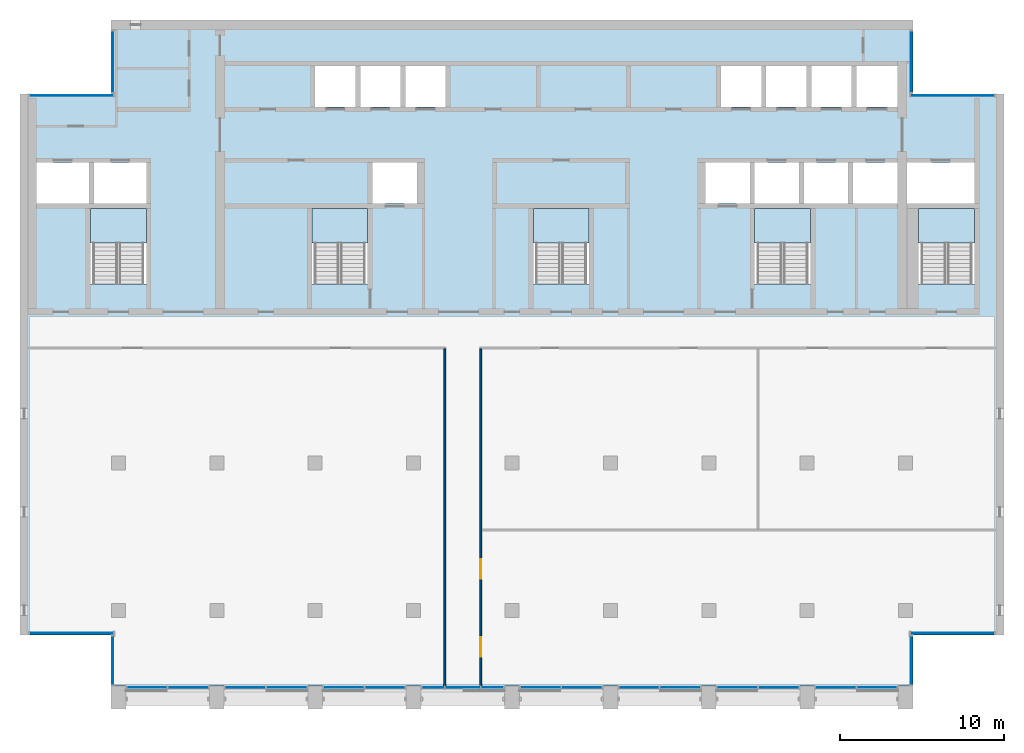
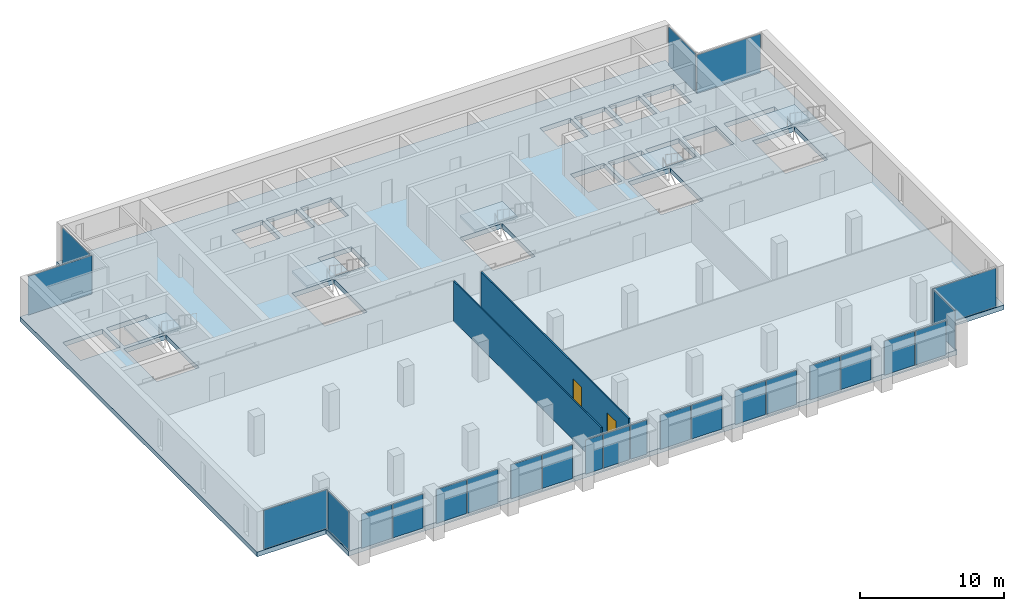
# One storey, part 6 of 14: 25 plates, 6 slabs, 2 doors, 2 walls, 2 openings, 21 elements without a shape of their own.
"""IFC4 building model written with IfcOpenShell, lengths in metres."""

from ifc_helpers import new_model, si_unit, direction, frame, frame_2d, origin, origin_2d, place, context, subcontext, project, spatial, polyline, rectangle, outline, extrude, material, layer, layer_set, type_object, element, fill, aggregate, save


model = new_model("IFC4")

# Units and contexts
model_context = context("Model", 3, precision=1e-05, world=origin(), true_north=direction((0.0, 1.0)))
body_context = subcontext(model_context, "Body", "Model", "MODEL_VIEW")
ifc_project = project(units=[si_unit("LENGTHUNIT", "METRE"), si_unit("AREAUNIT", "SQUARE_METRE"), si_unit("VOLUMEUNIT", "CUBIC_METRE"), si_unit("PLANEANGLEUNIT", "RADIAN"), si_unit("MASSUNIT", "GRAM", prefix="KILO")], contexts=[model_context])

# Site, building, storey
site_placement = place(None, origin())
site = spatial("IfcSite", under=ifc_project, at=site_placement, CompositionType="ELEMENT")
building_placement = place(site_placement, origin())
building = spatial("IfcBuilding", under=site, at=building_placement, Name="Calvaro Tower", CompositionType="ELEMENT")
storey_placement = place(building_placement, frame((0.0, 0.0, 246.949951171875)))
storey = spatial("IfcBuildingStorey", under=building, at=storey_placement, Name="L62", CompositionType="ELEMENT", Elevation=246.949951171875)

# Slab
ifc_material_1 = material(Name="Concrete C40/50", Category="concrete")
ifc_layer_1 = layer(ifc_material_1, 0.39990234375)
ifc_layer_set_1 = layer_set([ifc_layer_1], Name="Concrete C40/50")
slab_type_1 = type_object("IfcSlabType", Name="Floor slab 400 C40/50", PredefinedType="FLOOR", material=ifc_layer_set_1)
slab_1_placement = place(storey_placement, frame((0.0, 0.0, -0.39990234375)))
element("IfcSlab", 1, at=slab_1_placement, inside=storey, type_object=slab_type_1, Name="Floor slab", PredefinedType="FLOOR", context=body_context, shape_type="SweptSolid", body=[
    extrude(outline(polyline([(60.449951171875, 8.5), (60.449951171875, 5.39990234375), (11.550048828125, 5.39990234375), (11.550048828125, 8.5), (6.0, 8.5), (6.0, 41.5), (11.550048828125, 41.5), (11.550048828125, 46.0), (60.449951171875, 46.0), (60.449951171875, 41.5), (66.0, 41.5), (66.0, 8.5), (60.449951171875, 8.5)]), holes=[polyline([(10.300048828125, 29.909912109375), (10.300048828125, 34.5), (12.0, 34.5), (13.699951171875, 34.5), (13.699951171875, 29.909912109375), (12.0, 29.909912109375), (10.300048828125, 29.909912109375)]), polyline([(23.800048828125, 29.909912109375), (23.800048828125, 34.5), (25.5, 34.5), (27.199951171875, 34.5), (27.199951171875, 29.909912109375), (25.5, 29.909912109375), (23.800048828125, 29.909912109375)]), polyline([(37.300048828125, 29.909912109375), (37.300048828125, 34.5), (39.0, 34.5), (40.699951171875, 34.5), (40.699951171875, 29.909912109375), (39.0, 29.909912109375), (37.300048828125, 29.909912109375)]), polyline([(50.800048828125, 29.909912109375), (50.800048828125, 34.5), (52.5, 34.5), (54.199951171875, 34.5), (54.199951171875, 29.909912109375), (52.5, 29.909912109375), (50.800048828125, 29.909912109375)]), polyline([(60.800048828125, 29.909912109375), (60.800048828125, 34.5), (62.5, 34.5), (64.199951171875, 34.5), (64.199951171875, 29.909912109375), (62.5, 29.909912109375), (60.800048828125, 29.909912109375)]), polyline([(50.800048828125, 34.800048828125), (53.5, 34.800048828125), (53.5, 37.300048828125), (50.800048828125, 37.300048828125), (50.800048828125, 34.800048828125)]), polyline([(53.800048828125, 34.800048828125), (56.5, 34.800048828125), (56.5, 37.300048828125), (53.800048828125, 37.300048828125), (53.800048828125, 34.800048828125)]), polyline([(56.800048828125, 34.800048828125), (59.5, 34.800048828125), (59.5, 37.300048828125), (56.800048828125, 37.300048828125), (56.800048828125, 34.800048828125)]), polyline([(24.0, 40.699951171875), (26.449951171875, 40.699951171875), (26.449951171875, 43.199951171875), (24.0, 43.199951171875), (24.0, 40.699951171875)]), polyline([(26.75, 40.699951171875), (29.199951171875, 40.699951171875), (29.199951171875, 43.199951171875), (26.75, 43.199951171875), (26.75, 40.699951171875)]), polyline([(29.5, 40.699951171875), (31.949951171875, 40.699951171875), (31.949951171875, 43.199951171875), (29.5, 43.199951171875), (29.5, 40.699951171875)]), polyline([(48.75, 40.699951171875), (51.199951171875, 40.699951171875), (51.199951171875, 43.199951171875), (48.75, 43.199951171875), (48.75, 40.699951171875)]), polyline([(51.5, 40.699951171875), (53.949951171875, 40.699951171875), (53.949951171875, 43.199951171875), (51.5, 43.199951171875), (51.5, 40.699951171875)]), polyline([(54.25, 40.699951171875), (56.699951171875, 40.699951171875), (56.699951171875, 43.199951171875), (54.25, 43.199951171875), (54.25, 40.699951171875)]), polyline([(57.0, 40.699951171875), (59.5, 40.699951171875), (59.5, 43.199951171875), (57.0, 43.199951171875), (57.0, 40.699951171875)]), polyline([(7.0, 34.800048828125), (10.199951171875, 34.800048828125), (10.199951171875, 37.300048828125), (7.0, 37.300048828125), (7.0, 34.800048828125)]), polyline([(10.5, 34.800048828125), (13.699951171875, 34.800048828125), (13.699951171875, 37.300048828125), (10.5, 37.300048828125), (10.5, 34.800048828125)]), polyline([(60.10009765625, 34.800048828125), (64.199951171875, 34.800048828125), (64.199951171875, 37.300048828125), (60.10009765625, 37.300048828125), (60.10009765625, 34.800048828125)]), polyline([(27.5, 34.800048828125), (30.199951171875, 34.800048828125), (30.199951171875, 37.300048828125), (27.5, 37.300048828125), (27.5, 34.800048828125)]), polyline([(47.800048828125, 34.800048828125), (50.5, 34.800048828125), (50.5, 37.300048828125), (47.800048828125, 37.300048828125), (47.800048828125, 34.800048828125)])]), origin(), (0.0, 0.0, 1.0), 0.39990234375),
])

# Curtain wall, plates
ifc_material_2 = material(Name="Anodised aluminium", Category="aluminium")
curtain_wall_type = type_object("IfcCurtainWallType", Name="Executive curtain wall", PredefinedType="NOTDEFINED", material=ifc_material_2)
curtain_wall_1_placement = place(storey_placement, origin())
curtain_wall_1 = element("IfcCurtainWall", 2, at=curtain_wall_1_placement, inside=storey, type_object=curtain_wall_type, Name="CW4 south curtain wall", PredefinedType="NOTDEFINED")
ifc_material_3 = material(Name="Glass", Category="glass")
ifc_layer_2 = layer(ifc_material_3, 0.0400390625)
ifc_layer_set_2 = layer_set([ifc_layer_2], Name="Glass")
plate_type = type_object("IfcPlateType", Name="Glass panel S4 40", PredefinedType="CURTAIN_PANEL", material=ifc_layer_set_2)
plate_1_placement = place(storey_placement, frame((13.7451171875, 5.2900390625, 0.0), z_axis=(0.0, 0.0, 1.0), x_axis=(1.0, 0.0, 0.0)))
plate_1 = element("IfcPlate", 3, at=plate_1_placement, type_object=plate_type, Name="CW4 glass panel 1.1", PredefinedType="CURTAIN_PANEL", context=body_context, shape_type="SweptSolid", body=[
    extrude(rectangle(XDim=2.429931640625, YDim=0.0400390625, at=origin_2d()), origin(), (0.0, 0.0, 1.0), 2.8798828125),
])
plate_2_placement = place(storey_placement, frame((16.2548828125, 5.2900390625, 0.0), z_axis=(0.0, 0.0, 1.0), x_axis=(1.0, 0.0, 0.0)))
plate_2 = element("IfcPlate", 4, at=plate_2_placement, type_object=plate_type, Name="CW4 glass panel 2.1", PredefinedType="CURTAIN_PANEL", context=body_context, shape_type="SweptSolid", body=[
    extrude(rectangle(XDim=2.429931640625, YDim=0.0400390625, at=origin_2d()), origin(), (0.0, 0.0, 1.0), 2.8798828125),
])
aggregate(curtain_wall_1, [plate_1, plate_2])

curtain_wall_2_placement = place(storey_placement, origin())
curtain_wall_2 = element("IfcCurtainWall", 5, at=curtain_wall_2_placement, inside=storey, type_object=curtain_wall_type, Name="CW4 south curtain wall", PredefinedType="NOTDEFINED")
plate_3_placement = place(storey_placement, frame((19.7451171875, 5.2900390625, 0.0), z_axis=(0.0, 0.0, 1.0), x_axis=(1.0, 0.0, 0.0)))
plate_3 = element("IfcPlate", 6, at=plate_3_placement, type_object=plate_type, Name="CW4 glass panel 1.1", PredefinedType="CURTAIN_PANEL", context=body_context, shape_type="SweptSolid", body=[
    extrude(rectangle(XDim=2.429931640625, YDim=0.0400390625, at=origin_2d()), origin(), (0.0, 0.0, 1.0), 2.8798828125),
])
plate_4_placement = place(storey_placement, frame((22.2548828125, 5.2900390625, 0.0), z_axis=(0.0, 0.0, 1.0), x_axis=(1.0, 0.0, 0.0)))
plate_4 = element("IfcPlate", 7, at=plate_4_placement, type_object=plate_type, Name="CW4 glass panel 2.1", PredefinedType="CURTAIN_PANEL", context=body_context, shape_type="SweptSolid", body=[
    extrude(rectangle(XDim=2.429931640625, YDim=0.0400390625, at=origin_2d()), origin(), (0.0, 0.0, 1.0), 2.8798828125),
])
aggregate(curtain_wall_2, [plate_3, plate_4])

curtain_wall_3_placement = place(storey_placement, origin())
curtain_wall_3 = element("IfcCurtainWall", 8, at=curtain_wall_3_placement, inside=storey, type_object=curtain_wall_type, Name="CW4 south curtain wall", PredefinedType="NOTDEFINED")
plate_5_placement = place(storey_placement, frame((25.7451171875, 5.2900390625, 0.0), z_axis=(0.0, 0.0, 1.0), x_axis=(1.0, 0.0, 0.0)))
plate_5 = element("IfcPlate", 9, at=plate_5_placement, type_object=plate_type, Name="CW4 glass panel 1.1", PredefinedType="CURTAIN_PANEL", context=body_context, shape_type="SweptSolid", body=[
    extrude(rectangle(XDim=2.429931640625, YDim=0.0400390625, at=origin_2d()), origin(), (0.0, 0.0, 1.0), 2.8798828125),
])
plate_6_placement = place(storey_placement, frame((28.2548828125, 5.2900390625, 0.0), z_axis=(0.0, 0.0, 1.0), x_axis=(1.0, 0.0, 0.0)))
plate_6 = element("IfcPlate", 10, at=plate_6_placement, type_object=plate_type, Name="CW4 glass panel 2.1", PredefinedType="CURTAIN_PANEL", context=body_context, shape_type="SweptSolid", body=[
    extrude(rectangle(XDim=2.429931640625, YDim=0.0400390625, at=origin_2d()), origin(), (0.0, 0.0, 1.0), 2.8798828125),
])
aggregate(curtain_wall_3, [plate_5, plate_6])

curtain_wall_4_placement = place(storey_placement, origin())
curtain_wall_4 = element("IfcCurtainWall", 11, at=curtain_wall_4_placement, inside=storey, type_object=curtain_wall_type, Name="CW4 south curtain wall", PredefinedType="NOTDEFINED")
plate_7_placement = place(storey_placement, frame((31.195068359375, 5.2900390625, 0.0), z_axis=(0.0, 0.0, 1.0), x_axis=(1.0, 0.0, 0.0)))
plate_7 = element("IfcPlate", 12, at=plate_7_placement, type_object=plate_type, Name="CW4 glass panel 1.1", PredefinedType="CURTAIN_PANEL", context=body_context, shape_type="SweptSolid", body=[
    extrude(rectangle(XDim=1.330078125, YDim=0.0400390625, at=origin_2d()), origin(), (0.0, 0.0, 1.0), 2.8798828125),
])
plate_8_placement = place(storey_placement, frame((33.0, 5.2900390625, 0.0), z_axis=(0.0, 0.0, 1.0), x_axis=(1.0, 0.0, 0.0)))
plate_8 = element("IfcPlate", 13, at=plate_8_placement, type_object=plate_type, Name="CW4 glass panel 2.1", PredefinedType="CURTAIN_PANEL", context=body_context, shape_type="SweptSolid", body=[
    extrude(rectangle(XDim=2.1201171875, YDim=0.0400390625, at=origin_2d()), origin(), (0.0, 0.0, 1.0), 2.8798828125),
])
plate_9_placement = place(storey_placement, frame((34.804931640625, 5.2900390625, 0.0), z_axis=(0.0, 0.0, 1.0), x_axis=(1.0, 0.0, 0.0)))
plate_9 = element("IfcPlate", 14, at=plate_9_placement, type_object=plate_type, Name="CW4 glass panel 3.1", PredefinedType="CURTAIN_PANEL", context=body_context, shape_type="SweptSolid", body=[
    extrude(rectangle(XDim=1.330078125, YDim=0.0400390625, at=origin_2d()), origin(), (0.0, 0.0, 1.0), 2.8798828125),
])
aggregate(curtain_wall_4, [plate_7, plate_8, plate_9])

curtain_wall_5_placement = place(storey_placement, origin())
curtain_wall_5 = element("IfcCurtainWall", 15, at=curtain_wall_5_placement, inside=storey, type_object=curtain_wall_type, Name="CW4 south curtain wall", PredefinedType="NOTDEFINED")
plate_10_placement = place(storey_placement, frame((37.7451171875, 5.2900390625, 0.0), z_axis=(0.0, 0.0, 1.0), x_axis=(1.0, 0.0, 0.0)))
plate_10 = element("IfcPlate", 16, at=plate_10_placement, type_object=plate_type, Name="CW4 glass panel 1.1", PredefinedType="CURTAIN_PANEL", context=body_context, shape_type="SweptSolid", body=[
    extrude(rectangle(XDim=2.429931640625, YDim=0.0400390625, at=origin_2d()), origin(), (0.0, 0.0, 1.0), 2.8798828125),
])
plate_11_placement = place(storey_placement, frame((40.2548828125, 5.2900390625, 0.0), z_axis=(0.0, 0.0, 1.0), x_axis=(1.0, 0.0, 0.0)))
plate_11 = element("IfcPlate", 17, at=plate_11_placement, type_object=plate_type, Name="CW4 glass panel 2.1", PredefinedType="CURTAIN_PANEL", context=body_context, shape_type="SweptSolid", body=[
    extrude(rectangle(XDim=2.429931640625, YDim=0.0400390625, at=origin_2d()), origin(), (0.0, 0.0, 1.0), 2.8798828125),
])
aggregate(curtain_wall_5, [plate_10, plate_11])

curtain_wall_6_placement = place(storey_placement, origin())
curtain_wall_6 = element("IfcCurtainWall", 18, at=curtain_wall_6_placement, inside=storey, type_object=curtain_wall_type, Name="CW4 south curtain wall", PredefinedType="NOTDEFINED")
plate_12_placement = place(storey_placement, frame((43.7451171875, 5.2900390625, 0.0), z_axis=(0.0, 0.0, 1.0), x_axis=(1.0, 0.0, 0.0)))
plate_12 = element("IfcPlate", 19, at=plate_12_placement, type_object=plate_type, Name="CW4 glass panel 1.1", PredefinedType="CURTAIN_PANEL", context=body_context, shape_type="SweptSolid", body=[
    extrude(rectangle(XDim=2.429931640625, YDim=0.0400390625, at=origin_2d()), origin(), (0.0, 0.0, 1.0), 2.8798828125),
])
plate_13_placement = place(storey_placement, frame((46.2548828125, 5.2900390625, 0.0), z_axis=(0.0, 0.0, 1.0), x_axis=(1.0, 0.0, 0.0)))
plate_13 = element("IfcPlate", 20, at=plate_13_placement, type_object=plate_type, Name="CW4 glass panel 2.1", PredefinedType="CURTAIN_PANEL", context=body_context, shape_type="SweptSolid", body=[
    extrude(rectangle(XDim=2.429931640625, YDim=0.0400390625, at=origin_2d()), origin(), (0.0, 0.0, 1.0), 2.8798828125),
])
aggregate(curtain_wall_6, [plate_12, plate_13])

curtain_wall_7_placement = place(storey_placement, origin())
curtain_wall_7 = element("IfcCurtainWall", 21, at=curtain_wall_7_placement, inside=storey, type_object=curtain_wall_type, Name="CW4 south curtain wall", PredefinedType="NOTDEFINED")
plate_14_placement = place(storey_placement, frame((49.7451171875, 5.2900390625, 0.0), z_axis=(0.0, 0.0, 1.0), x_axis=(1.0, 0.0, 0.0)))
plate_14 = element("IfcPlate", 22, at=plate_14_placement, type_object=plate_type, Name="CW4 glass panel 1.1", PredefinedType="CURTAIN_PANEL", context=body_context, shape_type="SweptSolid", body=[
    extrude(rectangle(XDim=2.429931640625, YDim=0.0400390625, at=origin_2d()), origin(), (0.0, 0.0, 1.0), 2.8798828125),
])
plate_15_placement = place(storey_placement, frame((52.2548828125, 5.2900390625, 0.0), z_axis=(0.0, 0.0, 1.0), x_axis=(1.0, 0.0, 0.0)))
plate_15 = element("IfcPlate", 23, at=plate_15_placement, type_object=plate_type, Name="CW4 glass panel 2.1", PredefinedType="CURTAIN_PANEL", context=body_context, shape_type="SweptSolid", body=[
    extrude(rectangle(XDim=2.429931640625, YDim=0.0400390625, at=origin_2d()), origin(), (0.0, 0.0, 1.0), 2.8798828125),
])
aggregate(curtain_wall_7, [plate_14, plate_15])

curtain_wall_8_placement = place(storey_placement, origin())
curtain_wall_8 = element("IfcCurtainWall", 24, at=curtain_wall_8_placement, inside=storey, type_object=curtain_wall_type, Name="CW4 south curtain wall", PredefinedType="NOTDEFINED")
plate_16_placement = place(storey_placement, frame((55.7451171875, 5.2900390625, 0.0), z_axis=(0.0, 0.0, 1.0), x_axis=(1.0, 0.0, 0.0)))
plate_16 = element("IfcPlate", 25, at=plate_16_placement, type_object=plate_type, Name="CW4 glass panel 1.1", PredefinedType="CURTAIN_PANEL", context=body_context, shape_type="SweptSolid", body=[
    extrude(rectangle(XDim=2.429931640625, YDim=0.0400390625, at=origin_2d()), origin(), (0.0, 0.0, 1.0), 2.8798828125),
])
plate_17_placement = place(storey_placement, frame((58.2548828125, 5.2900390625, 0.0), z_axis=(0.0, 0.0, 1.0), x_axis=(1.0, 0.0, 0.0)))
plate_17 = element("IfcPlate", 26, at=plate_17_placement, type_object=plate_type, Name="CW4 glass panel 2.1", PredefinedType="CURTAIN_PANEL", context=body_context, shape_type="SweptSolid", body=[
    extrude(rectangle(XDim=2.429931640625, YDim=0.0400390625, at=origin_2d()), origin(), (0.0, 0.0, 1.0), 2.8798828125),
])
aggregate(curtain_wall_8, [plate_16, plate_17])

# Curtain wall, plate
curtain_wall_9_placement = place(storey_placement, origin())
curtain_wall_9 = element("IfcCurtainWall", 27, at=curtain_wall_9_placement, inside=storey, type_object=curtain_wall_type, Name="CW4 corner curtain wall", PredefinedType="NOTDEFINED")
plate_18_placement = place(storey_placement, frame((11.659912109375, 6.949951171875, 0.0), z_axis=(0.0, 0.0, 1.0), x_axis=(0.0, 1.0, 0.0)))
plate_18 = element("IfcPlate", 28, at=plate_18_placement, type_object=plate_type, Name="CW4 glass panel 1.1", PredefinedType="CURTAIN_PANEL", context=body_context, shape_type="SweptSolid", body=[
    extrude(rectangle(XDim=2.93994140625, YDim=0.0400390625, at=origin_2d()), origin(), (0.0, 0.0, 1.0), 3.280029296875),
])
aggregate(curtain_wall_9, [plate_18])

curtain_wall_10_placement = place(storey_placement, origin())
curtain_wall_10 = element("IfcCurtainWall", 29, at=curtain_wall_10_placement, inside=storey, type_object=curtain_wall_type, Name="CW4 corner curtain wall", PredefinedType="NOTDEFINED")
plate_19_placement = place(storey_placement, frame((9.135009765625, 8.610107421875, 0.0), z_axis=(0.0, 0.0, 1.0), x_axis=(1.0, 0.0, 0.0)))
plate_19 = element("IfcPlate", 30, at=plate_19_placement, type_object=plate_type, Name="CW4 glass panel 1.1", PredefinedType="CURTAIN_PANEL", context=body_context, shape_type="SweptSolid", body=[
    extrude(rectangle(XDim=5.110107421875, YDim=0.0400390625, at=origin_2d()), origin(), (0.0, 0.0, 1.0), 3.280029296875),
])
aggregate(curtain_wall_10, [plate_19])

curtain_wall_11_placement = place(storey_placement, origin())
curtain_wall_11 = element("IfcCurtainWall", 31, at=curtain_wall_11_placement, inside=storey, type_object=curtain_wall_type, Name="CW4 corner curtain wall", PredefinedType="NOTDEFINED")
plate_20_placement = place(storey_placement, frame((11.659912109375, 43.449951171875, 0.0), z_axis=(0.0, 0.0, 1.0), x_axis=(0.0, 1.0, 0.0)))
plate_20 = element("IfcPlate", 32, at=plate_20_placement, type_object=plate_type, Name="CW4 glass panel 1.1", PredefinedType="CURTAIN_PANEL", context=body_context, shape_type="SweptSolid", body=[
    extrude(rectangle(XDim=3.739990234375, YDim=0.0400390625, at=origin_2d()), origin(), (0.0, 0.0, 1.0), 3.280029296875),
])
aggregate(curtain_wall_11, [plate_20])

curtain_wall_12_placement = place(storey_placement, origin())
curtain_wall_12 = element("IfcCurtainWall", 33, at=curtain_wall_12_placement, inside=storey, type_object=curtain_wall_type, Name="CW4 corner curtain wall", PredefinedType="NOTDEFINED")
plate_21_placement = place(storey_placement, frame((9.135009765625, 41.389892578125, 0.0), z_axis=(0.0, 0.0, 1.0), x_axis=(1.0, 0.0, 0.0)))
plate_21 = element("IfcPlate", 34, at=plate_21_placement, type_object=plate_type, Name="CW4 glass panel 1.1", PredefinedType="CURTAIN_PANEL", context=body_context, shape_type="SweptSolid", body=[
    extrude(rectangle(XDim=5.110107421875, YDim=0.0400390625, at=origin_2d()), origin(), (0.0, 0.0, 1.0), 3.280029296875),
])
aggregate(curtain_wall_12, [plate_21])

curtain_wall_13_placement = place(storey_placement, origin())
curtain_wall_13 = element("IfcCurtainWall", 35, at=curtain_wall_13_placement, inside=storey, type_object=curtain_wall_type, Name="CW4 corner curtain wall", PredefinedType="NOTDEFINED")
plate_22_placement = place(storey_placement, frame((60.340087890625, 6.949951171875, 0.0), z_axis=(0.0, 0.0, 1.0), x_axis=(0.0, 1.0, 0.0)))
plate_22 = element("IfcPlate", 36, at=plate_22_placement, type_object=plate_type, Name="CW4 glass panel 1.1", PredefinedType="CURTAIN_PANEL", context=body_context, shape_type="SweptSolid", body=[
    extrude(rectangle(XDim=2.93994140625, YDim=0.0400390625, at=origin_2d()), origin(), (0.0, 0.0, 1.0), 3.280029296875),
])
aggregate(curtain_wall_13, [plate_22])

curtain_wall_14_placement = place(storey_placement, origin())
curtain_wall_14 = element("IfcCurtainWall", 37, at=curtain_wall_14_placement, inside=storey, type_object=curtain_wall_type, Name="CW4 corner curtain wall", PredefinedType="NOTDEFINED")
plate_23_placement = place(storey_placement, frame((62.864990234375, 8.610107421875, 0.0), z_axis=(0.0, 0.0, 1.0), x_axis=(1.0, 0.0, 0.0)))
plate_23 = element("IfcPlate", 38, at=plate_23_placement, type_object=plate_type, Name="CW4 glass panel 1.1", PredefinedType="CURTAIN_PANEL", context=body_context, shape_type="SweptSolid", body=[
    extrude(rectangle(XDim=5.110107421875, YDim=0.0400390625, at=origin_2d()), origin(), (0.0, 0.0, 1.0), 3.280029296875),
])
aggregate(curtain_wall_14, [plate_23])

curtain_wall_15_placement = place(storey_placement, origin())
curtain_wall_15 = element("IfcCurtainWall", 39, at=curtain_wall_15_placement, inside=storey, type_object=curtain_wall_type, Name="CW4 corner curtain wall", PredefinedType="NOTDEFINED")
plate_24_placement = place(storey_placement, frame((60.340087890625, 43.449951171875, 0.0), z_axis=(0.0, 0.0, 1.0), x_axis=(0.0, 1.0, 0.0)))
plate_24 = element("IfcPlate", 40, at=plate_24_placement, type_object=plate_type, Name="CW4 glass panel 1.1", PredefinedType="CURTAIN_PANEL", context=body_context, shape_type="SweptSolid", body=[
    extrude(rectangle(XDim=3.739990234375, YDim=0.0400390625, at=origin_2d()), origin(), (0.0, 0.0, 1.0), 3.280029296875),
])
aggregate(curtain_wall_15, [plate_24])

curtain_wall_16_placement = place(storey_placement, origin())
curtain_wall_16 = element("IfcCurtainWall", 41, at=curtain_wall_16_placement, inside=storey, type_object=curtain_wall_type, Name="CW4 corner curtain wall", PredefinedType="NOTDEFINED")
plate_25_placement = place(storey_placement, frame((62.864990234375, 41.389892578125, 0.0), z_axis=(0.0, 0.0, 1.0), x_axis=(1.0, 0.0, 0.0)))
plate_25 = element("IfcPlate", 42, at=plate_25_placement, type_object=plate_type, Name="CW4 glass panel 1.1", PredefinedType="CURTAIN_PANEL", context=body_context, shape_type="SweptSolid", body=[
    extrude(rectangle(XDim=5.110107421875, YDim=0.0400390625, at=origin_2d()), origin(), (0.0, 0.0, 1.0), 3.280029296875),
])
aggregate(curtain_wall_16, [plate_25])

# Stair, slab
ifc_material_4 = material(Name="Concrete C40/50", Category="concrete")
stair_type = type_object("IfcStairType", Name="Exit stair 1400 2 flights", PredefinedType="HALF_TURN_STAIR", material=ifc_material_4)
stair_1_placement = place(storey_placement, origin())
stair_1 = element("IfcStair", 43, at=stair_1_placement, inside=storey, type_object=stair_type, Name="Exit stair S1", PredefinedType="HALF_TURN_STAIR")
ifc_material_5 = material(Name="Concrete C40/50", Category="concrete")
ifc_layer_3 = layer(ifc_material_5, 0.199951171875)
ifc_layer_set_3 = layer_set([ifc_layer_3], Name="Concrete C40/50")
slab_type_2 = type_object("IfcSlabType", Name="Stair landing", PredefinedType="LANDING", material=ifc_layer_set_3)
slab_2_placement = place(storey_placement, frame((0.0, 0.0, 1.699951171875)))
slab_2 = element("IfcSlab", 44, at=slab_2_placement, type_object=slab_type_2, Name="Exit stair 1, landing 1", PredefinedType="LANDING", context=body_context, shape_type="SweptSolid", body=[
    extrude(outline(polyline([(11.89990234375, 32.389892578125), (10.5, 32.389892578125), (10.5, 32.39990234375), (10.300048828125, 32.39990234375), (10.300048828125, 34.5), (10.5, 34.5), (11.89990234375, 34.5), (12.10009765625, 34.5), (13.5, 34.5), (13.699951171875, 34.5), (13.699951171875, 32.39990234375), (13.5, 32.39990234375), (13.5, 32.389892578125), (12.10009765625, 32.389892578125), (12.10009765625, 32.39990234375), (11.89990234375, 32.39990234375), (11.89990234375, 32.389892578125)])), origin(), (0.0, 0.0, 1.0), 0.2001953125),
])
aggregate(stair_1, [slab_2])

stair_2_placement = place(storey_placement, origin())
stair_2 = element("IfcStair", 45, at=stair_2_placement, inside=storey, type_object=stair_type, Name="Exit stair S2", PredefinedType="HALF_TURN_STAIR")
slab_3_placement = place(storey_placement, frame((0.0, 0.0, 1.699951171875)))
slab_3 = element("IfcSlab", 46, at=slab_3_placement, type_object=slab_type_2, Name="Exit stair 2, landing 1", PredefinedType="LANDING", context=body_context, shape_type="SweptSolid", body=[
    extrude(outline(polyline([(25.39990234375, 32.389892578125), (24.0, 32.389892578125), (24.0, 32.39990234375), (23.800048828125, 32.39990234375), (23.800048828125, 34.5), (24.0, 34.5), (25.39990234375, 34.5), (25.60009765625, 34.5), (27.0, 34.5), (27.199951171875, 34.5), (27.199951171875, 32.39990234375), (27.0, 32.39990234375), (27.0, 32.389892578125), (25.60009765625, 32.389892578125), (25.60009765625, 32.39990234375), (25.39990234375, 32.39990234375), (25.39990234375, 32.389892578125)])), origin(), (0.0, 0.0, 1.0), 0.2001953125),
])
aggregate(stair_2, [slab_3])

stair_3_placement = place(storey_placement, origin())
stair_3 = element("IfcStair", 47, at=stair_3_placement, inside=storey, type_object=stair_type, Name="Exit stair S3", PredefinedType="HALF_TURN_STAIR")
slab_4_placement = place(storey_placement, frame((0.0, 0.0, 1.699951171875)))
slab_4 = element("IfcSlab", 48, at=slab_4_placement, type_object=slab_type_2, Name="Exit stair 3, landing 1", PredefinedType="LANDING", context=body_context, shape_type="SweptSolid", body=[
    extrude(outline(polyline([(38.89990234375, 32.389892578125), (37.5, 32.389892578125), (37.5, 32.39990234375), (37.300048828125, 32.39990234375), (37.300048828125, 34.5), (37.5, 34.5), (38.89990234375, 34.5), (39.10009765625, 34.5), (40.5, 34.5), (40.699951171875, 34.5), (40.699951171875, 32.39990234375), (40.5, 32.39990234375), (40.5, 32.389892578125), (39.10009765625, 32.389892578125), (39.10009765625, 32.39990234375), (38.89990234375, 32.39990234375), (38.89990234375, 32.389892578125)])), origin(), (0.0, 0.0, 1.0), 0.2001953125),
])
aggregate(stair_3, [slab_4])

stair_4_placement = place(storey_placement, origin())
stair_4 = element("IfcStair", 49, at=stair_4_placement, inside=storey, type_object=stair_type, Name="Exit stair S4", PredefinedType="HALF_TURN_STAIR")
slab_5_placement = place(storey_placement, frame((0.0, 0.0, 1.699951171875)))
slab_5 = element("IfcSlab", 50, at=slab_5_placement, type_object=slab_type_2, Name="Exit stair 4, landing 1", PredefinedType="LANDING", context=body_context, shape_type="SweptSolid", body=[
    extrude(outline(polyline([(52.39990234375, 32.389892578125), (51.0, 32.389892578125), (51.0, 32.39990234375), (50.800048828125, 32.39990234375), (50.800048828125, 34.5), (51.0, 34.5), (52.39990234375, 34.5), (52.60009765625, 34.5), (54.0, 34.5), (54.199951171875, 34.5), (54.199951171875, 32.39990234375), (54.0, 32.39990234375), (54.0, 32.389892578125), (52.60009765625, 32.389892578125), (52.60009765625, 32.39990234375), (52.39990234375, 32.39990234375), (52.39990234375, 32.389892578125)])), origin(), (0.0, 0.0, 1.0), 0.2001953125),
])
aggregate(stair_4, [slab_5])

stair_5_placement = place(storey_placement, origin())
stair_5 = element("IfcStair", 51, at=stair_5_placement, inside=storey, type_object=stair_type, Name="Exit stair S5", PredefinedType="HALF_TURN_STAIR")
slab_6_placement = place(storey_placement, frame((0.0, 0.0, 1.699951171875)))
slab_6 = element("IfcSlab", 52, at=slab_6_placement, type_object=slab_type_2, Name="Exit stair 5, landing 1", PredefinedType="LANDING", context=body_context, shape_type="SweptSolid", body=[
    extrude(outline(polyline([(62.39990234375, 32.389892578125), (61.0, 32.389892578125), (61.0, 32.39990234375), (60.800048828125, 32.39990234375), (60.800048828125, 34.5), (61.0, 34.5), (62.39990234375, 34.5), (62.60009765625, 34.5), (64.0, 34.5), (64.199951171875, 34.5), (64.199951171875, 32.39990234375), (64.0, 32.39990234375), (64.0, 32.389892578125), (62.60009765625, 32.389892578125), (62.60009765625, 32.39990234375), (62.39990234375, 32.39990234375), (62.39990234375, 32.389892578125)])), origin(), (0.0, 0.0, 1.0), 0.2001953125),
])
aggregate(stair_5, [slab_6])

# Wall
ifc_material_6 = material(Name="Plasterboard on steel studs", Category="steel")
ifc_layer_4 = layer(ifc_material_6, 0.10009765625)
ifc_layer_set_4 = layer_set([ifc_layer_4], Name="Plasterboard on steel studs")
wall_type_1 = type_object("IfcWallType", Name="Partition 100", PredefinedType="PARTITIONING", material=ifc_layer_set_4)
wall_1_placement = place(storey_placement, frame((31.89990234375, 5.39990234375, 0.0), z_axis=(0.0, 0.0, 1.0), x_axis=(0.0, 1.0, 0.0)))
element("IfcWall", 53, at=wall_1_placement, inside=storey, type_object=wall_type_1, Name="Partition T35.W004", PredefinedType="PARTITIONING", context=body_context, shape_type="SweptSolid", body=[
    extrude(rectangle(XDim=20.550048828125, YDim=0.10009765625, at=frame_2d((10.27490234375, 0.0))), origin(), (0.0, 0.0, 1.0), 3.400146484375),
])

# Wall, openings, doors
ifc_material_7 = material(Name="Plasterboard on steel studs", Category="steel")
ifc_layer_5 = layer(ifc_material_7, 0.10009765625)
ifc_layer_set_5 = layer_set([ifc_layer_5], Name="Plasterboard on steel studs")
wall_type_2 = type_object("IfcWallType", Name="Partition 100 REI 120", PredefinedType="PARTITIONING", material=ifc_layer_set_5)
wall_2_placement = place(storey_placement, frame((34.10009765625, 5.39990234375, 0.0), z_axis=(0.0, 0.0, 1.0), x_axis=(0.0, 1.0, 0.0)))
wall_2 = element("IfcWall", 54, at=wall_2_placement, inside=storey, type_object=wall_type_2, Name="Partition T35.W005", PredefinedType="PARTITIONING", context=body_context, shape_type="SweptSolid", body=[
    extrude(rectangle(XDim=20.550048828125, YDim=0.10009765625, at=frame_2d((10.27490234375, 0.0))), origin(), (0.0, 0.0, 1.0), 3.400146484375),
])
opening_1_placement = place(wall_2_placement, frame((1.77490234375, 0.0, 0.0)))
opening_1 = element("IfcOpeningElement", 55, at=opening_1_placement, cuts=wall_2, Name="Opening T35.001", PredefinedType="OPENING", context=body_context, shape_type="SweptSolid", body=[
    extrude(rectangle(XDim=1.199951171875, YDim=2.10009765625, at=frame_2d((0.60009765625, 1.050048828125))), frame((0.0, 0.06005859375, 0.0), z_axis=(0.0, -1.0, 0.0), x_axis=(1.0, 0.0, 0.0)), (0.0, 0.0, 1.0), 0.1201171875),
])
opening_2_placement = place(wall_2_placement, frame((6.52490234375, 0.0, 0.0)))
opening_2 = element("IfcOpeningElement", 56, at=opening_2_placement, cuts=wall_2, Name="Opening T35.002", PredefinedType="OPENING", context=body_context, shape_type="SweptSolid", body=[
    extrude(rectangle(XDim=1.199951171875, YDim=2.10009765625, at=frame_2d((0.60009765625, 1.050048828125))), frame((0.0, 0.06005859375, 0.0), z_axis=(0.0, -1.0, 0.0), x_axis=(1.0, 0.0, 0.0)), (0.0, 0.0, 1.0), 0.1201171875),
])
ifc_material_8 = material(Name="Timber", Category="wood")
door_type = type_object("IfcDoorType", Name="Internal single door 1200 x 2100", OperationType="SINGLE_SWING_LEFT", PredefinedType="DOOR", material=ifc_material_8)
door_1_placement = place(opening_1_placement, origin())
door_1 = element("IfcDoor", 57, at=door_1_placement, inside=storey, type_object=door_type, Name="Door T35.001", OperationType="SINGLE_SWING_LEFT", OverallHeight=2.10009765625, OverallWidth=1.199951171875, PredefinedType="DOOR", context=body_context, shape_type="SweptSolid", body=[
    extrude(rectangle(XDim=1.199951171875, YDim=2.10009765625, at=frame_2d((0.60009765625, 1.050048828125))), frame((0.0, 0.02490234375, 0.0), z_axis=(0.0, -1.0, 0.0), x_axis=(1.0, 0.0, 0.0)), (0.0, 0.0, 1.0), 0.050048828125),
])
fill(opening_1, door_1)
door_2_placement = place(opening_2_placement, origin())
door_2 = element("IfcDoor", 58, at=door_2_placement, inside=storey, type_object=door_type, Name="Door T35.002", OperationType="SINGLE_SWING_LEFT", OverallHeight=2.10009765625, OverallWidth=1.199951171875, PredefinedType="DOOR", context=body_context, shape_type="SweptSolid", body=[
    extrude(rectangle(XDim=1.199951171875, YDim=2.10009765625, at=frame_2d((0.60009765625, 1.050048828125))), frame((0.0, 0.02490234375, 0.0), z_axis=(0.0, -1.0, 0.0), x_axis=(1.0, 0.0, 0.0)), (0.0, 0.0, 1.0), 0.050048828125),
])
fill(opening_2, door_2)

save(model, "model.ifc")
